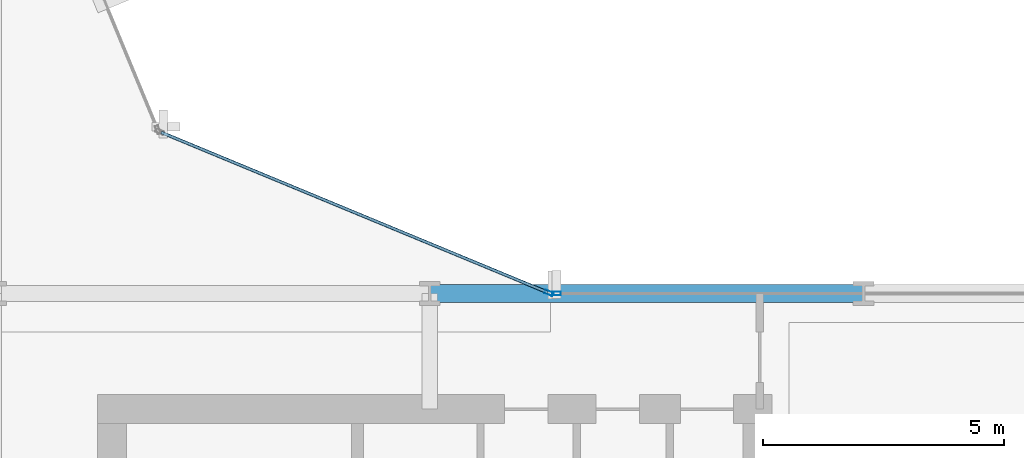
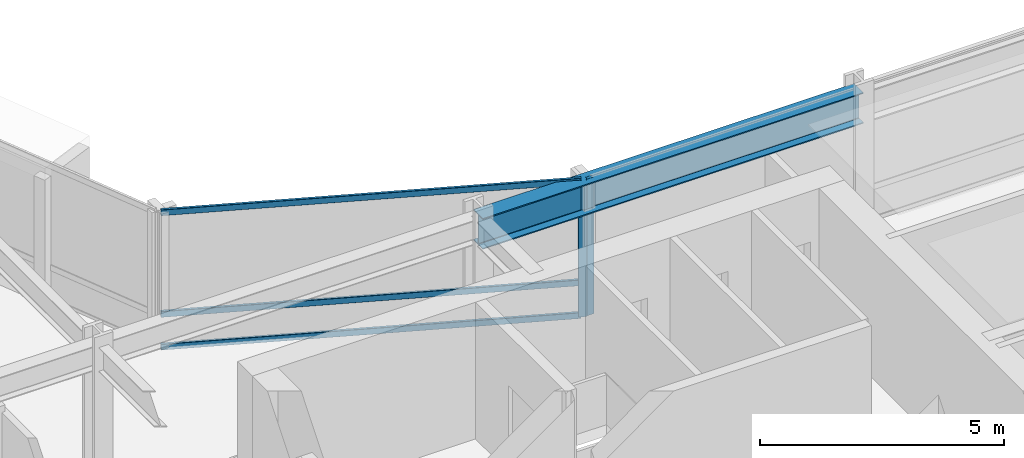
# One storey, part 15 of 34: 5 members, 1 beam, 2 elements without a shape of their own.
"""IFC4 building model written with IfcOpenShell, lengths in metres."""

import ifcopenshell
import ifcopenshell.guid

model = None  # the IFC model being written
_history = None  # IfcOwnerHistory: only IFC2X3 demands one
_inside = {}  # id of a spatial element -> (the spatial element, [elements in it])
_under = {}  # id of a project, library or spatial element -> (it, [spatial elements below it])
_declared = {}  # id of a project -> (the project, [libraries it declares])
_typed = {}  # id of a type object -> (the type object, [elements of that type])
_made_of = {}  # id of a material, layer set ... -> (it, [elements and type objects made of it])


def new_model(schema):
    """Start an empty IFC model of exactly this schema.

    Asked for "IFC4X3", IfcOpenShell would pick the latest addendum, in which some entities
    have other attributes; the version numbers below select the first issue.
    IFC2X3 requires an IfcOwnerHistory on every rooted entity: one is made here for all.
    """
    global model, _history
    if schema == "IFC4X3":
        model = ifcopenshell.file(schema_version=(4, 3, 0, 0))
    else:
        model = ifcopenshell.file(schema=schema)
    _inside.clear()
    _under.clear()
    _declared.clear()
    _typed.clear()
    _made_of.clear()
    _history = None
    if model.schema == "IFC2X3":
        org = make("IfcOrganization", Name="unknown")
        user = make(
            "IfcPersonAndOrganization",
            ThePerson=make("IfcPerson", FamilyName="unknown"),
            TheOrganization=org,
        )
        app = make(
            "IfcApplication",
            ApplicationDeveloper=org,
            Version="unknown",
            ApplicationFullName="unknown",
            ApplicationIdentifier="unknown",
        )
        _history = make(
            "IfcOwnerHistory",
            OwningUser=user,
            OwningApplication=app,
            ChangeAction="ADDED",
            CreationDate=0,
        )
    return model


def make(cls, **values):
    """One entity of the class cls with the attributes given. An attribute that is None is left unset."""
    return model.create_entity(
        cls, **{name: value for name, value in values.items() if value is not None}
    )


def rooted(cls, **values):
    """An entity with a GlobalId (a new one), such as an element, a storey or a relation."""
    return make(cls, GlobalId=ifcopenshell.guid.new(), OwnerHistory=_history, **values)


def si_unit(unit_type, name, prefix=None):
    """IfcSIUnit, for example si_unit("LENGTHUNIT", "METRE", prefix="MILLI")."""
    return make("IfcSIUnit", UnitType=unit_type, Prefix=prefix, Name=name)


def assignment(units):
    """IfcUnitAssignment: the units of a project."""
    return None if units is None else make("IfcUnitAssignment", Units=units)


def point(xyz):
    """IfcCartesianPoint."""
    return None if xyz is None else make("IfcCartesianPoint", Coordinates=xyz)


def direction(xyz):
    """IfcDirection."""
    return None if xyz is None else make("IfcDirection", DirectionRatios=xyz)


def frame(location, z_axis=None, x_axis=None):
    """IfcAxis2Placement3D, a coordinate frame: its origin and axes. An axis left out is left unset."""
    return make(
        "IfcAxis2Placement3D",
        Location=point(location),
        Axis=direction(z_axis),
        RefDirection=direction(x_axis),
    )


def frame_2d(location, x_axis=None):
    """IfcAxis2Placement2D, a coordinate frame in the plane: its origin and x axis."""
    return make(
        "IfcAxis2Placement2D", Location=point(location), RefDirection=direction(x_axis)
    )


def origin():
    """The frame at (0, 0, 0) with its axes left unset."""
    return frame((0.0, 0.0, 0.0))


def origin_2d():
    """The frame at (0, 0) in the plane with its x axis left unset."""
    return frame_2d((0.0, 0.0))


def place(relative_to, where):
    """IfcLocalPlacement: puts the frame where relative to a parent placement (None: the world)."""
    return make(
        "IfcLocalPlacement", PlacementRelTo=relative_to, RelativePlacement=where
    )


def context(
    kind, dimensions, precision=None, world=None, true_north=None, identifier=None
):
    """IfcGeometricRepresentationContext, for example the 3D "Model" context."""
    return make(
        "IfcGeometricRepresentationContext",
        ContextIdentifier=identifier,
        ContextType=kind,
        CoordinateSpaceDimension=dimensions,
        Precision=precision,
        WorldCoordinateSystem=world,
        TrueNorth=true_north,
    )


def subcontext(parent, identifier, kind, view, scale=None):
    """IfcGeometricRepresentationSubContext, for example "Body" below "Model"."""
    return make(
        "IfcGeometricRepresentationSubContext",
        ContextIdentifier=identifier,
        ContextType=kind,
        ParentContext=parent,
        TargetScale=scale,
        TargetView=view,
    )


def project(units=None, contexts=None):
    """IfcProject with its units and contexts."""
    return rooted(
        "IfcProject",
        Name="project",
        RepresentationContexts=contexts,
        UnitsInContext=assignment(units),
    )


def spatial(cls, under=None, at=None, **own):
    """A site, building, storey or space (cls), placed at a placement, below another one or the project."""
    s = rooted(cls, ObjectPlacement=at, **own)
    if under is not None:
        _under.setdefault(under.id(), (under, []))[1].append(s)
    return s


def profile(cls, at=None, kind="AREA", **sizes):
    """A parametric profile (cls). Its sizes go by their IFC names, for example OverallWidth=200.0."""
    return make(cls, ProfileType=kind, Position=at, **sizes)


def hollow_rectangle(**sizes):
    """IfcRectangleHollowProfileDef."""
    return profile("IfcRectangleHollowProfileDef", **sizes)


def i_section(**sizes):
    """IfcIShapeProfileDef."""
    return profile("IfcIShapeProfileDef", **sizes)


def extrude(swept, where, along, depth):
    """IfcExtrudedAreaSolid: the profile swept, set in the frame where, extruded along a direction by depth."""
    return make(
        "IfcExtrudedAreaSolid",
        SweptArea=swept,
        Position=where,
        ExtrudedDirection=direction(along),
        Depth=depth,
    )


def shape(context_of_items, identifier, shape_type, items):
    """IfcShapeRepresentation: the items that make up one representation, for example the "Body"."""
    return make(
        "IfcShapeRepresentation",
        ContextOfItems=context_of_items,
        RepresentationIdentifier=identifier,
        RepresentationType=shape_type,
        Items=items,
    )


def material(Name=None, Category=None):
    """IfcMaterial."""
    return make("IfcMaterial", Name=Name, Category=Category)


def layer(
    of_material, thickness, ventilated=None, Name=None, Category=None, Priority=None
):
    """IfcMaterialLayer: one layer of a wall or slab, of a material (None: an air gap)."""
    return make(
        "IfcMaterialLayer",
        Material=of_material,
        LayerThickness=thickness,
        IsVentilated=ventilated,
        Name=Name,
        Category=Category,
        Priority=Priority,
    )


def layer_set(layers, Name=None):
    """IfcMaterialLayerSet."""
    return make("IfcMaterialLayerSet", MaterialLayers=layers, LayerSetName=Name)


def material_profile(
    of_material, cross_section, Name=None, Category=None, Priority=None
):
    """IfcMaterialProfile: a cross section and its material."""
    return make(
        "IfcMaterialProfile",
        Name=Name,
        Material=of_material,
        Profile=cross_section,
        Priority=Priority,
        Category=Category,
    )


def profile_set(profiles, Name=None, composite=None):
    """IfcMaterialProfileSet."""
    return make(
        "IfcMaterialProfileSet",
        Name=Name,
        MaterialProfiles=profiles,
        CompositeProfile=composite,
    )


def made_of(thing, what):
    """Note that an element or type object is made of a material, layer set ...; save() writes the relation."""
    if what is not None:
        _made_of.setdefault(what.id(), (what, []))[1].append(thing)
    return thing


def type_object(cls, material=None, **own):
    """A type object (cls), such as IfcWallType, which elements share."""
    return made_of(rooted(cls, **own), material)


def element(
    cls,
    number,
    at=None,
    inside=None,
    cuts=None,
    type_object=None,
    material=None,
    context=None,
    identifier="Body",
    shape_type=None,
    held_by="IfcProductDefinitionShape",
    body=None,
    shapes=None,
    **own,
):
    """One element of the class cls, such as IfcWall. Its Tag is "e" and its number.

    at: its placement. inside: the storey or other place that contains it. cuts: it is an
    opening in that element (IfcRelVoidsElement). A single representation is given by context,
    identifier, shape_type and body (its items); several are given by shapes. held_by: the class
    of the entity that holds the representations. save() writes the other relations.
    """
    e = rooted(cls, Tag="e%d" % number, ObjectPlacement=at, **own)
    if body is not None:
        shapes = [shape(context, identifier, shape_type, body)]
    if shapes is not None:
        e.Representation = make(held_by, Representations=shapes)
    if inside is not None:
        _inside.setdefault(inside.id(), (inside, []))[1].append(e)
    if cuts is not None:
        rooted(
            "IfcRelVoidsElement", RelatingBuildingElement=cuts, RelatedOpeningElement=e
        )
    if type_object is not None:
        _typed.setdefault(type_object.id(), (type_object, []))[1].append(e)
    return made_of(e, material)


def aggregate(whole, parts):
    """IfcRelAggregates: a whole, such as a stair, and the parts it consists of."""
    return rooted("IfcRelAggregates", RelatingObject=whole, RelatedObjects=parts)


def save(model, path):
    """Write the relations noted so far, then the file.

    IfcRelAggregates (storeys below a building ...), IfcRelContainedInSpatialStructure (elements
    in a storey), IfcRelDefinesByType, IfcRelAssociatesMaterial and IfcRelDeclares: one each for
    every whole, place, type object, material and project.
    """
    for whole, parts in _under.values():
        aggregate(whole, parts)
    for where, things in _inside.values():
        rooted(
            "IfcRelContainedInSpatialStructure",
            RelatedElements=things,
            RelatingStructure=where,
        )
    for kind, things in _typed.values():
        rooted("IfcRelDefinesByType", RelatedObjects=things, RelatingType=kind)
    for what, things in _made_of.values():
        rooted("IfcRelAssociatesMaterial", RelatedObjects=things, RelatingMaterial=what)
    for by, libraries in _declared.values():
        rooted("IfcRelDeclares", RelatingContext=by, RelatedDefinitions=libraries)
    model.write(path)


model = new_model("IFC4")

# Units and contexts
model_context = context("Model", 3, precision=1e-05, world=origin(), true_north=direction((0.0, 1.0)))
body_context = subcontext(model_context, "Body", "Model", "MODEL_VIEW")
ifc_project = project(units=[si_unit("LENGTHUNIT", "METRE"), si_unit("AREAUNIT", "SQUARE_METRE"), si_unit("VOLUMEUNIT", "CUBIC_METRE"), si_unit("PLANEANGLEUNIT", "RADIAN"), si_unit("MASSUNIT", "GRAM", prefix="KILO")], contexts=[model_context])

# Site, building, storey
site_placement = place(None, origin())
site = spatial("IfcSite", under=ifc_project, at=site_placement, CompositionType="ELEMENT")
building_placement = place(site_placement, origin())
building = spatial("IfcBuilding", under=site, at=building_placement, Name="Solvaryn Broadcast Tower", CompositionType="ELEMENT")
storey_placement = place(building_placement, frame((0.0, 0.0, 50.800048828125)))
storey = spatial("IfcBuildingStorey", under=building, at=storey_placement, Name="L11", CompositionType="ELEMENT", Elevation=50.800048828125)

# Beam
ifc_material_1 = material(Name="Steel ASTM A992 Grade 50", Category="steel")
ifc_material_profile_1 = material_profile(ifc_material_1, i_section(OverallWidth=0.381103515625, OverallDepth=0.77294921875, WebThickness=0.0166015625, FlangeThickness=0.027099609375, FilletRadius=0.01806640625, at=origin_2d()))
ifc_profile_set_1 = profile_set([ifc_material_profile_1], Name="Steel ASTM A992 Grade 50")
beam_type = type_object("IfcBeamType", Name="BM-SP1-W30X173", PredefinedType="USERDEFINED", material=ifc_profile_set_1)
beam_placement = place(storey_placement, frame((36.0, 27.0, 3.033447265625), z_axis=(1.0, 0.0, 0.0), x_axis=(0.0, 1.0, 0.0)))
element("IfcBeam", 1, at=beam_placement, inside=storey, type_object=beam_type, Name="L11 Spandrel Beam X (36-45 @ Y=27)", ObjectType="SPANDREL", PredefinedType="USERDEFINED", context=body_context, shape_type="SweptSolid", body=[
    extrude(i_section(OverallWidth=0.381103515625, OverallDepth=0.77294921875, WebThickness=0.0166015625, FlangeThickness=0.027099609375, FilletRadius=0.01806640625, at=origin_2d()), origin(), (0.0, 0.0, 1.0), 9.0),
])

# Curtain wall, member
ifc_material_2 = material(Name="Aluminium and Terracotta Unitised Curtain Wall", Category="masonry")
ifc_layer = layer(ifc_material_2, 0.199951171875)
ifc_layer_set = layer_set([ifc_layer], Name="CW-SYS2-LOWMID")
curtain_wall_type = type_object("IfcCurtainWallType", Name="CW-SYS2-LOWMID", PredefinedType="NOTDEFINED", material=ifc_layer_set)
curtain_wall_1_placement = place(storey_placement, origin())
curtain_wall_1 = element("IfcCurtainWall", 2, at=curtain_wall_1_placement, inside=storey, type_object=curtain_wall_type, Name="L11 Curtain Wall CN1", PredefinedType="NOTDEFINED")
ifc_material_3 = material(Name="Anodised Aluminium 6063-T6", Category="aluminium")
ifc_material_profile_2 = material_profile(ifc_material_3, hollow_rectangle(XDim=0.074951171875, YDim=0.179931640625, WallThickness=0.00390625, InnerFilletRadius=0.00390625, OuterFilletRadius=0.008056640625, at=origin_2d()))
ifc_profile_set_2 = profile_set([ifc_material_profile_2], Name="Anodised Aluminium 6063-T6")
member_type_1 = type_object("IfcMemberType", Name="CW-MUL-180", PredefinedType="MULLION", material=ifc_profile_set_2)
member_1_placement = place(storey_placement, frame((38.47216796875, 27.011474609375, 0.0), z_axis=(0.0, 0.0, 1.0), x_axis=(-0.382646127145, -0.923894983957, 0.0)))
member_1 = element("IfcMember", 3, at=member_1_placement, type_object=member_type_1, Name="CWS2 mullion 1", PredefinedType="MULLION", context=body_context, shape_type="SweptSolid", body=[
    extrude(hollow_rectangle(XDim=0.074951171875, YDim=0.179931640625, WallThickness=0.00390625, InnerFilletRadius=0.00390625, OuterFilletRadius=0.008056640625, at=origin_2d()), origin(), (0.0, 0.0, 1.0), 3.419921875),
])

curtain_wall_2_placement = place(storey_placement, origin())
curtain_wall_2 = element("IfcCurtainWall", 4, at=curtain_wall_2_placement, inside=storey, type_object=curtain_wall_type, Name="L11 Curtain Wall IH", PredefinedType="NOTDEFINED")
member_2_placement = place(storey_placement, frame((38.6298828125, 27.0, 0.0), z_axis=(0.0, 0.0, 1.0), x_axis=(0.0, 1.0, 0.0)))
member_2 = element("IfcMember", 5, at=member_2_placement, type_object=member_type_1, Name="CWS2 mullion 1", PredefinedType="MULLION", context=body_context, shape_type="SweptSolid", body=[
    extrude(hollow_rectangle(XDim=0.074951171875, YDim=0.179931640625, WallThickness=0.00390625, InnerFilletRadius=0.00390625, OuterFilletRadius=0.008056640625, at=origin_2d()), origin(), (0.0, 0.0, 1.0), 3.419921875),
])
aggregate(curtain_wall_2, [member_2])

# Member
ifc_material_4 = material(Name="Anodised Aluminium 6063-T6", Category="aluminium")
ifc_material_profile_3 = material_profile(ifc_material_4, hollow_rectangle(XDim=0.06494140625, YDim=0.14990234375, WallThickness=0.00390625, InnerFilletRadius=0.00390625, OuterFilletRadius=0.008056640625, at=origin_2d()))
ifc_profile_set_3 = profile_set([ifc_material_profile_3], Name="Anodised Aluminium 6063-T6")
member_type_2 = type_object("IfcMemberType", Name="CW-TRN-150", PredefinedType="USERDEFINED", material=ifc_profile_set_3)
member_3_placement = place(storey_placement, frame((38.444580078125, 27.02294921875, 0.030029296875), z_axis=(-0.923899282177, 0.382635748975, 0.0), x_axis=(-0.382635748975, -0.923899282177, 0.0)))
member_3 = element("IfcMember", 6, at=member_3_placement, type_object=member_type_2, Name="CWS2 transom 1.1", ObjectType="TRANSOM", PredefinedType="USERDEFINED", context=body_context, shape_type="SweptSolid", body=[
    extrude(hollow_rectangle(XDim=0.06494140625, YDim=0.14990234375, WallThickness=0.00390625, InnerFilletRadius=0.00390625, OuterFilletRadius=0.008056640625, at=origin_2d()), origin(), (0.0, 0.0, 1.0), 8.681884765625),
])

member_4_placement = place(storey_placement, frame((38.444580078125, 27.02294921875, 0.849853515625), z_axis=(-0.923899282177, 0.382635748975, 0.0), x_axis=(-0.382635748975, -0.923899282177, 0.0)))
member_4 = element("IfcMember", 7, at=member_4_placement, type_object=member_type_2, Name="CWS2 transom 1.2", ObjectType="TRANSOM", PredefinedType="USERDEFINED", context=body_context, shape_type="SweptSolid", body=[
    extrude(hollow_rectangle(XDim=0.06494140625, YDim=0.14990234375, WallThickness=0.00390625, InnerFilletRadius=0.00390625, OuterFilletRadius=0.008056640625, at=origin_2d()), origin(), (0.0, 0.0, 1.0), 8.681884765625),
])

member_5_placement = place(storey_placement, frame((38.444580078125, 27.02294921875, 3.389892578125), z_axis=(-0.923899282177, 0.382635748975, 0.0), x_axis=(-0.382635748975, -0.923899282177, 0.0)))
member_5 = element("IfcMember", 8, at=member_5_placement, type_object=member_type_2, Name="CWS2 transom 1.3", ObjectType="TRANSOM", PredefinedType="USERDEFINED", context=body_context, shape_type="SweptSolid", body=[
    extrude(hollow_rectangle(XDim=0.06494140625, YDim=0.14990234375, WallThickness=0.00390625, InnerFilletRadius=0.00390625, OuterFilletRadius=0.008056640625, at=origin_2d()), origin(), (0.0, 0.0, 1.0), 8.681884765625),
])

aggregate(curtain_wall_1, [member_1, member_3, member_4, member_5])

save(model, "model.ifc")
